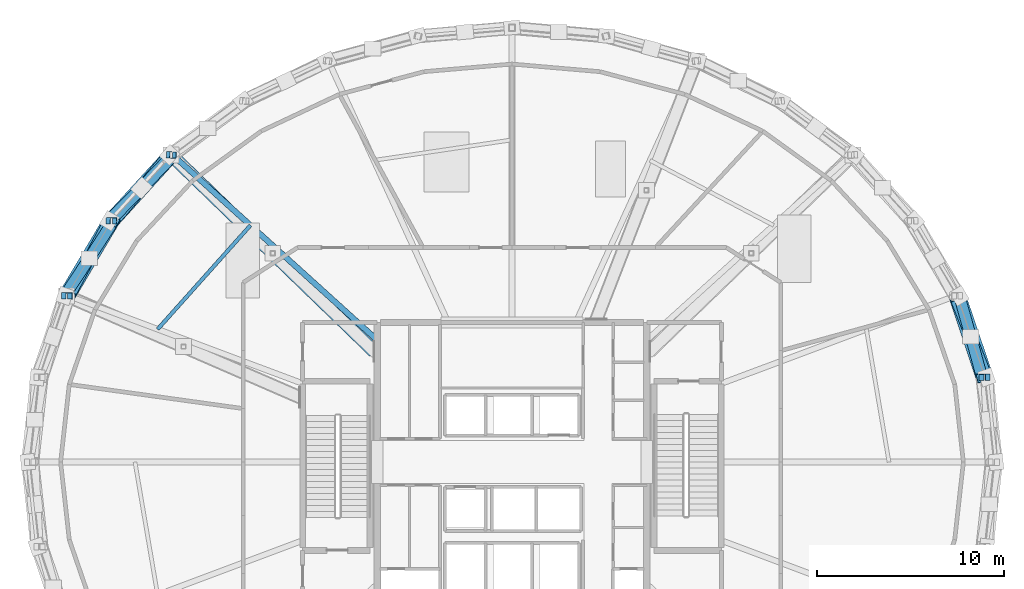
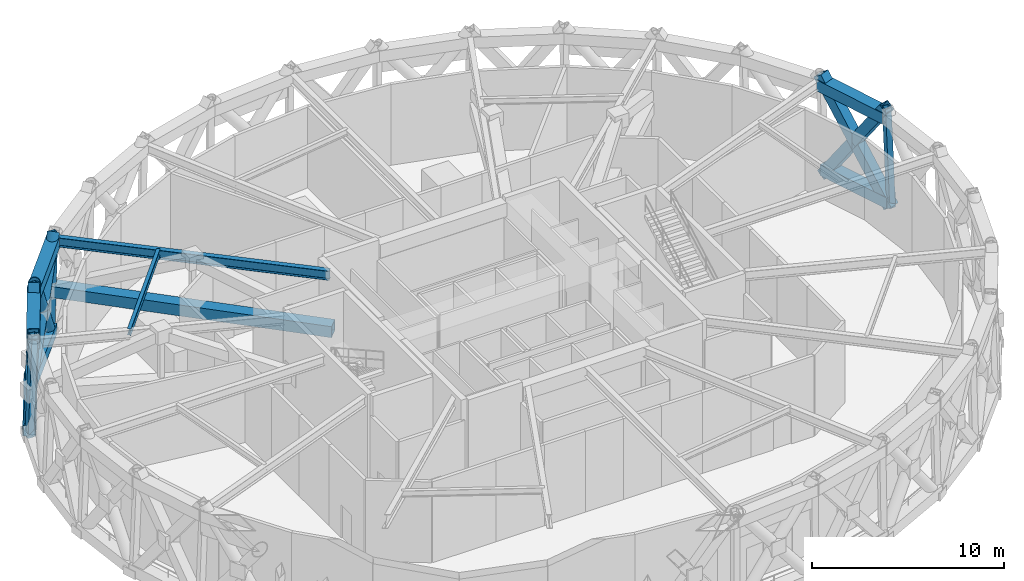
# One storey, part 4 of 15: 13 members, 9 beams.
"""IFC4 building model written with IfcOpenShell, lengths in metres."""

from ifc_helpers import new_model, si_unit, direction, frame, origin, origin_2d, place, context, subcontext, project, spatial, hollow_rectangle, hollow_circle, i_section, extrude, material, material_profile, profile_set, type_object, element, save


model = new_model("IFC4")

# Units and contexts
model_context = context("Model", 3, precision=1e-05, world=origin(), true_north=direction((0.0, 1.0)))
body_context = subcontext(model_context, "Body", "Model", "MODEL_VIEW")
ifc_project = project(units=[si_unit("LENGTHUNIT", "METRE"), si_unit("AREAUNIT", "SQUARE_METRE"), si_unit("VOLUMEUNIT", "CUBIC_METRE"), si_unit("PLANEANGLEUNIT", "RADIAN"), si_unit("MASSUNIT", "GRAM", prefix="KILO")], contexts=[model_context])

# Site, building, storey
site_placement = place(None, origin())
site = spatial("IfcSite", under=ifc_project, at=site_placement, CompositionType="ELEMENT")
building_placement = place(site_placement, origin())
building = spatial("IfcBuilding", under=site, at=building_placement, Name="Veldorina Hangang Commons", CompositionType="ELEMENT")
storey_placement = place(building_placement, frame((0.0, 0.0, 208.39990234375)))
storey = spatial("IfcBuildingStorey", under=building, at=storey_placement, Name="L54", CompositionType="ELEMENT", Elevation=208.39990234375)

# Beams
ifc_material_1 = material(Name="Steel SM460-TMC", Category="steel")
ifc_material_profile_1 = material_profile(ifc_material_1, hollow_rectangle(XDim=0.699951171875, YDim=0.699951171875, WallThickness=0.034912109375, at=origin_2d()), Name="BOX-700x700x35")
ifc_profile_set_1 = profile_set([ifc_material_profile_1], Name="Steel SM460-TMC")
beam_type_1 = type_object("IfcBeamType", Name="BM-BLT700", PredefinedType="BEAM", material=ifc_profile_set_1)
beam_1_placement = place(storey_placement, frame((57.12158203125, 28.522216796875, 5.81005859375), z_axis=(-0.317760524963, 0.948171001864, 0.0), x_axis=(-0.948171001864, -0.317760524963, 0.0)))
element("IfcBeam", 1, at=beam_1_placement, inside=storey, type_object=beam_type_1, Name="L54 perimeter hoop ring beam 01", PredefinedType="BEAM", context=body_context, shape_type="SweptSolid", body=[
    extrude(hollow_rectangle(XDim=0.699951171875, YDim=0.699951171875, WallThickness=0.034912109375, at=origin_2d()), origin(), (0.0, 0.0, 1.0), 4.586181640625),
])
beam_2_placement = place(storey_placement, frame((13.88818359375, 40.390625, 5.81005859375), z_axis=(-0.67176763512, -0.740761935041, 0.0), x_axis=(0.740761935041, -0.67176763512, 0.0)))
element("IfcBeam", 2, at=beam_2_placement, inside=storey, type_object=beam_type_1, Name="L54 perimeter hoop ring beam 12", PredefinedType="BEAM", context=body_context, shape_type="SweptSolid", body=[
    extrude(hollow_rectangle(XDim=0.699951171875, YDim=0.699951171875, WallThickness=0.034912109375, at=origin_2d()), origin(), (0.0, 0.0, 1.0), 4.74169921875),
])
beam_3_placement = place(storey_placement, frame((10.702880859375, 36.878173828125, 5.81005859375), z_axis=(-0.508582629605, -0.861013187393, 0.0), x_axis=(0.861013187393, -0.508582629605, 0.0)))
element("IfcBeam", 3, at=beam_3_placement, inside=storey, type_object=beam_type_1, Name="L54 perimeter hoop ring beam 13", PredefinedType="BEAM", context=body_context, shape_type="SweptSolid", body=[
    extrude(hollow_rectangle(XDim=0.699951171875, YDim=0.699951171875, WallThickness=0.034912109375, at=origin_2d()), origin(), (0.0, 0.0, 1.0), 4.654541015625),
])
beam_4_placement = place(storey_placement, frame((57.3525390625, 28.5244140625, 0.35009765625), z_axis=(-0.32030776452, 0.947313536263, 0.0), x_axis=(-0.947313536263, -0.32030776452, 0.0)))
element("IfcBeam", 4, at=beam_4_placement, inside=storey, type_object=beam_type_1, Name="L54 perimeter belt truss bottom chord 01", PredefinedType="BEAM", context=body_context, shape_type="SweptSolid", body=[
    extrude(hollow_rectangle(XDim=0.699951171875, YDim=0.699951171875, WallThickness=0.034912109375, at=origin_2d()), origin(), (0.0, 0.0, 1.0), 4.59228515625),
])
beam_5_placement = place(storey_placement, frame((13.721923828125, 40.3984375, 0.35009765625), z_axis=(-0.674986151798, -0.737830397097, 0.0), x_axis=(0.737830397097, -0.674986151798, 0.0)))
element("IfcBeam", 5, at=beam_5_placement, inside=storey, type_object=beam_type_1, Name="L54 perimeter belt truss bottom chord 12", PredefinedType="BEAM", context=body_context, shape_type="SweptSolid", body=[
    extrude(hollow_rectangle(XDim=0.699951171875, YDim=0.699951171875, WallThickness=0.034912109375, at=origin_2d()), origin(), (0.0, 0.0, 1.0), 4.762939453125),
])
beam_6_placement = place(storey_placement, frame((10.507080078125, 36.88427734375, 0.35009765625), z_axis=(-0.511808460899, -0.8590995864, 0.0), x_axis=(0.8590995864, -0.511808460899, 0.0)))
element("IfcBeam", 6, at=beam_6_placement, inside=storey, type_object=beam_type_1, Name="L54 perimeter belt truss bottom chord 13", PredefinedType="BEAM", context=body_context, shape_type="SweptSolid", body=[
    extrude(hollow_rectangle(XDim=0.699951171875, YDim=0.699951171875, WallThickness=0.034912109375, at=origin_2d()), origin(), (0.0, 0.0, 1.0), 4.667236328125),
])
beam_7_placement = place(storey_placement, frame((24.64990234375, 29.89990234375, 2.85009765625), z_axis=(-0.718665766232, 0.695355676216, 0.0), x_axis=(-0.695355676216, -0.718665766232, 0.0)))
element("IfcBeam", 7, at=beam_7_placement, inside=storey, type_object=beam_type_1, Name="L54 outrigger chord 03", PredefinedType="BEAM", context=body_context, shape_type="SweptSolid", body=[
    extrude(hollow_rectangle(XDim=0.699951171875, YDim=0.699951171875, WallThickness=0.034912109375, at=origin_2d()), origin(), (0.0, 0.0, 1.0), 15.092529296875),
])
ifc_material_profile_2 = material_profile(ifc_material_1, i_section(OverallWidth=0.300048828125, OverallDepth=0.587890625, WebThickness=0.011962890625, FlangeThickness=0.02001953125, FilletRadius=0.01806640625, at=origin_2d()), Name="H-588x300x12x20")
ifc_profile_set_2 = profile_set([ifc_material_profile_2], Name="Steel SM460-TMC")
beam_type_2 = type_object("IfcBeamType", Name="BM-FG588", PredefinedType="BEAM", material=ifc_profile_set_2)
beam_8_placement = place(storey_placement, frame((24.800048828125, 30.515869140625, 5.8662109375), z_axis=(-0.741464245952, 0.670992378477, 0.0), x_axis=(-0.670992378477, -0.741464245952, 0.0)))
element("IfcBeam", 8, at=beam_8_placement, inside=storey, type_object=beam_type_2, Name="L54 radial floor girder 07", PredefinedType="BEAM", context=body_context, shape_type="SweptSolid", body=[
    extrude(i_section(OverallWidth=0.300048828125, OverallDepth=0.587890625, WebThickness=0.011962890625, FlangeThickness=0.02001953125, FilletRadius=0.01806640625, at=origin_2d()), origin(), (0.0, 0.0, 1.0), 14.716552734375),
])
ifc_material_2 = material(Name="Steel SM355-TMC", Category="steel")
ifc_material_profile_3 = material_profile(ifc_material_2, i_section(OverallWidth=0.199951171875, OverallDepth=0.39990234375, WebThickness=0.008056640625, FlangeThickness=0.012939453125, FilletRadius=0.012939453125, at=origin_2d()), Name="H-400x200x8x13")
ifc_profile_set_3 = profile_set([ifc_material_profile_3], Name="Steel SM355-TMC")
beam_type_3 = type_object("IfcBeamType", Name="BM-JST400", PredefinedType="JOIST", material=ifc_profile_set_3)
beam_9_placement = place(storey_placement, frame((18.03466796875, 36.63818359375, 5.960205078125), z_axis=(-0.666250590368, -0.745727933521, 0.0), x_axis=(0.745727933521, -0.666250590368, 0.0)))
element("IfcBeam", 9, at=beam_9_placement, inside=storey, type_object=beam_type_3, Name="L54 secondary floor joist 07", PredefinedType="JOIST", context=body_context, shape_type="SweptSolid", body=[
    extrude(i_section(OverallWidth=0.199951171875, OverallDepth=0.39990234375, WebThickness=0.008056640625, FlangeThickness=0.012939453125, FilletRadius=0.012939453125, at=origin_2d()), origin(), (0.0, 0.0, 1.0), 7.43701171875),
])

# Members
ifc_material_profile_4 = material_profile(ifc_material_1, hollow_circle(Radius=0.324951171875, WallThickness=0.031982421875, at=origin_2d()), Name="CHS-650x32")
ifc_profile_set_4 = profile_set([ifc_material_profile_4], Name="Steel SM460-TMC")
member_type_1 = type_object("IfcMemberType", Name="DG-CHS650", PredefinedType="BRACE", material=ifc_profile_set_4)
member_1_placement = place(storey_placement, frame((13.721923828125, 40.3984375, 0.0), z_axis=(-0.379821844432, -0.445892604021, 0.810503024159), x_axis=(0.761253845969, -0.64845399374, 0.0)))
element("IfcMember", 10, at=member_1_placement, inside=storey, type_object=member_type_1, Name="L54 continuous perimeter diagrid brace 12", PredefinedType="BRACE", context=body_context, shape_type="SweptSolid", body=[
    extrude(hollow_circle(Radius=0.324951171875, WallThickness=0.031982421875, at=origin_2d()), origin(), (0.0, 0.0, 1.0), 7.896484375),
])
member_2_placement = place(storey_placement, frame((10.507080078125, 36.88427734375, 0.0), z_axis=(0.424196636086, 0.433574824446, 0.79502835518), x_axis=(-0.714795002026, 0.699334043986, 0.0)))
element("IfcMember", 11, at=member_2_placement, inside=storey, type_object=member_type_1, Name="L54 split perimeter diagrid lower brace 13", PredefinedType="BRACE", context=body_context, shape_type="SweptSolid", body=[
    extrude(hollow_circle(Radius=0.324951171875, WallThickness=0.031982421875, at=origin_2d()), origin(), (0.0, 0.0, 1.0), 4.03515625),
])
member_3_placement = place(storey_placement, frame((12.21875, 38.6337890625, 3.2080078125), z_axis=(0.420034428617, 0.437426906767, 0.795128153201), x_axis=(-0.721301147995, 0.692621580592, 0.0)))
element("IfcMember", 12, at=member_3_placement, inside=storey, type_object=member_type_1, Name="L54 split perimeter diagrid upper brace 13", PredefinedType="BRACE", context=body_context, shape_type="SweptSolid", body=[
    extrude(hollow_circle(Radius=0.324951171875, WallThickness=0.031982421875, at=origin_2d()), origin(), (0.0, 0.0, 1.0), 4.0146484375),
])
ifc_material_profile_5 = material_profile(ifc_material_1, hollow_rectangle(XDim=0.60009765625, YDim=0.60009765625, WallThickness=0.030029296875, at=origin_2d()), Name="BOX-600x600x30")
ifc_profile_set_5 = profile_set([ifc_material_profile_5], Name="Steel SM460-TMC")
member_type_2 = type_object("IfcMemberType", Name="OR-BOX600", PredefinedType="BRACE", material=ifc_profile_set_5)
member_4_placement = place(storey_placement, frame((57.3525390625, 28.5244140625, 0.0), z_axis=(-0.215886240323, 0.548497727342, 0.807801568666), x_axis=(-0.930517475163, -0.366247496123, 0.0)))
element("IfcMember", 13, at=member_4_placement, inside=storey, type_object=member_type_2, Name="L54 belt truss continuous brace 01", PredefinedType="BRACE", context=body_context, shape_type="SweptSolid", body=[
    extrude(hollow_rectangle(XDim=0.60009765625, YDim=0.60009765625, WallThickness=0.030029296875, at=origin_2d()), origin(), (0.0, 0.0, 1.0), 7.9228515625),
])
member_5_placement = place(storey_placement, frame((55.881591796875, 32.874755859375, 0.0), z_axis=(0.156879366812, -0.555025373968, 0.816906174858), x_axis=(0.962298344627, 0.271996132194, 0.0)))
element("IfcMember", 14, at=member_5_placement, inside=storey, type_object=member_type_2, Name="L54 belt truss split lower brace 02", PredefinedType="BRACE", context=body_context, shape_type="SweptSolid", body=[
    extrude(hollow_rectangle(XDim=0.60009765625, YDim=0.60009765625, WallThickness=0.030029296875, at=origin_2d()), origin(), (0.0, 0.0, 1.0), 3.920166015625),
])
member_6_placement = place(storey_placement, frame((56.49658203125, 30.698974609375, 3.202392578125), z_axis=(0.153718603645, -0.556068474117, 0.816797675674), x_axis=(0.963850110081, 0.266445051177, 0.0)))
element("IfcMember", 15, at=member_6_placement, inside=storey, type_object=member_type_2, Name="L54 belt truss split upper brace 02", PredefinedType="BRACE", context=body_context, shape_type="SweptSolid", body=[
    extrude(hollow_rectangle(XDim=0.60009765625, YDim=0.60009765625, WallThickness=0.030029296875, at=origin_2d()), origin(), (0.0, 0.0, 1.0), 3.9150390625),
])
member_7_placement = place(storey_placement, frame((10.507080078125, 36.88427734375, 0.0), z_axis=(-0.273620275076, -0.511060384278, 0.814830797582), x_axis=(0.881596320506, -0.47200416065, 0.0)))
element("IfcMember", 16, at=member_7_placement, inside=storey, type_object=member_type_2, Name="L54 belt truss continuous brace 13", PredefinedType="BRACE", context=body_context, shape_type="SweptSolid", body=[
    extrude(hollow_rectangle(XDim=0.60009765625, YDim=0.60009765625, WallThickness=0.030029296875, at=origin_2d()), origin(), (0.0, 0.0, 1.0), 7.8544921875),
])
member_8_placement = place(storey_placement, frame((8.118408203125, 32.874755859375, 0.0), z_axis=(0.328210507608, 0.500008195184, 0.801417286714), x_axis=(-0.835986452139, 0.548750081404, 0.0)))
element("IfcMember", 17, at=member_8_placement, inside=storey, type_object=member_type_2, Name="L54 belt truss split lower brace 14", PredefinedType="BRACE", context=body_context, shape_type="SweptSolid", body=[
    extrude(hollow_rectangle(XDim=0.60009765625, YDim=0.60009765625, WallThickness=0.030029296875, at=origin_2d()), origin(), (0.0, 0.0, 1.0), 3.9990234375),
])
member_9_placement = place(storey_placement, frame((9.430908203125, 34.874267578125, 3.204833984375), z_axis=(0.324039198011, 0.502502668622, 0.801554531008), x_axis=(-0.840415536935, 0.541942547949, 0.0)))
element("IfcMember", 18, at=member_9_placement, inside=storey, type_object=member_type_2, Name="L54 belt truss split upper brace 14", PredefinedType="BRACE", context=body_context, shape_type="SweptSolid", body=[
    extrude(hollow_rectangle(XDim=0.60009765625, YDim=0.60009765625, WallThickness=0.030029296875, at=origin_2d()), origin(), (0.0, 0.0, 1.0), 3.986328125),
])
ifc_material_profile_6 = material_profile(ifc_material_2, hollow_rectangle(XDim=0.35009765625, YDim=0.35009765625, WallThickness=0.01611328125, at=origin_2d()), Name="SHS-350x350x16")
ifc_profile_set_6 = profile_set([ifc_material_profile_6], Name="Steel SM355-TMC")
member_type_3 = type_object("IfcMemberType", Name="STR-SHS350", PredefinedType="STRUT", material=ifc_profile_set_6)
member_10_placement = place(storey_placement, frame((57.3525390625, 28.5244140625, 0.0), z_axis=(-0.039678814495, -0.000381160562, 0.999212413052), x_axis=(0.009605704747, -0.999953864154, 0.0)))
element("IfcMember", 19, at=member_10_placement, inside=storey, type_object=member_type_3, Name="L54 perimeter ring node post 01", PredefinedType="STRUT", context=body_context, shape_type="SweptSolid", body=[
    extrude(hollow_rectangle(XDim=0.35009765625, YDim=0.35009765625, WallThickness=0.01611328125, at=origin_2d()), origin(), (0.0, 0.0, 1.0), 6.4052734375),
])
member_11_placement = place(storey_placement, frame((13.721923828125, 40.3984375, 0.0), z_axis=(0.028597847807, -0.001334566231, 0.999590107011), x_axis=(0.046615934699, 0.998912886408, 0.0)))
element("IfcMember", 20, at=member_11_placement, inside=storey, type_object=member_type_3, Name="L54 perimeter ring node post 12", PredefinedType="STRUT", context=body_context, shape_type="SweptSolid", body=[
    extrude(hollow_rectangle(XDim=0.35009765625, YDim=0.35009765625, WallThickness=0.01611328125, at=origin_2d()), origin(), (0.0, 0.0, 1.0), 6.40283203125),
])
member_12_placement = place(storey_placement, frame((10.507080078125, 36.88427734375, 0.0), z_axis=(0.033663895534, -0.001067484796, 0.999432640358), x_axis=(0.031694148584, 0.999497614277, 0.0)))
element("IfcMember", 21, at=member_12_placement, inside=storey, type_object=member_type_3, Name="L54 perimeter ring node post 13", PredefinedType="STRUT", context=body_context, shape_type="SweptSolid", body=[
    extrude(hollow_rectangle(XDim=0.35009765625, YDim=0.35009765625, WallThickness=0.01611328125, at=origin_2d()), origin(), (0.0, 0.0, 1.0), 6.40380859375),
])
member_13_placement = place(storey_placement, frame((8.118408203125, 32.874755859375, 0.0), z_axis=(0.037395139771, -0.000724268762, 0.999300294684), x_axis=(0.019364360215, 0.999812493197, 0.0)))
element("IfcMember", 22, at=member_13_placement, inside=storey, type_object=member_type_3, Name="L54 perimeter ring node post 14", PredefinedType="STRUT", context=body_context, shape_type="SweptSolid", body=[
    extrude(hollow_rectangle(XDim=0.35009765625, YDim=0.35009765625, WallThickness=0.01611328125, at=origin_2d()), origin(), (0.0, 0.0, 1.0), 6.404541015625),
])

save(model, "model.ifc")
